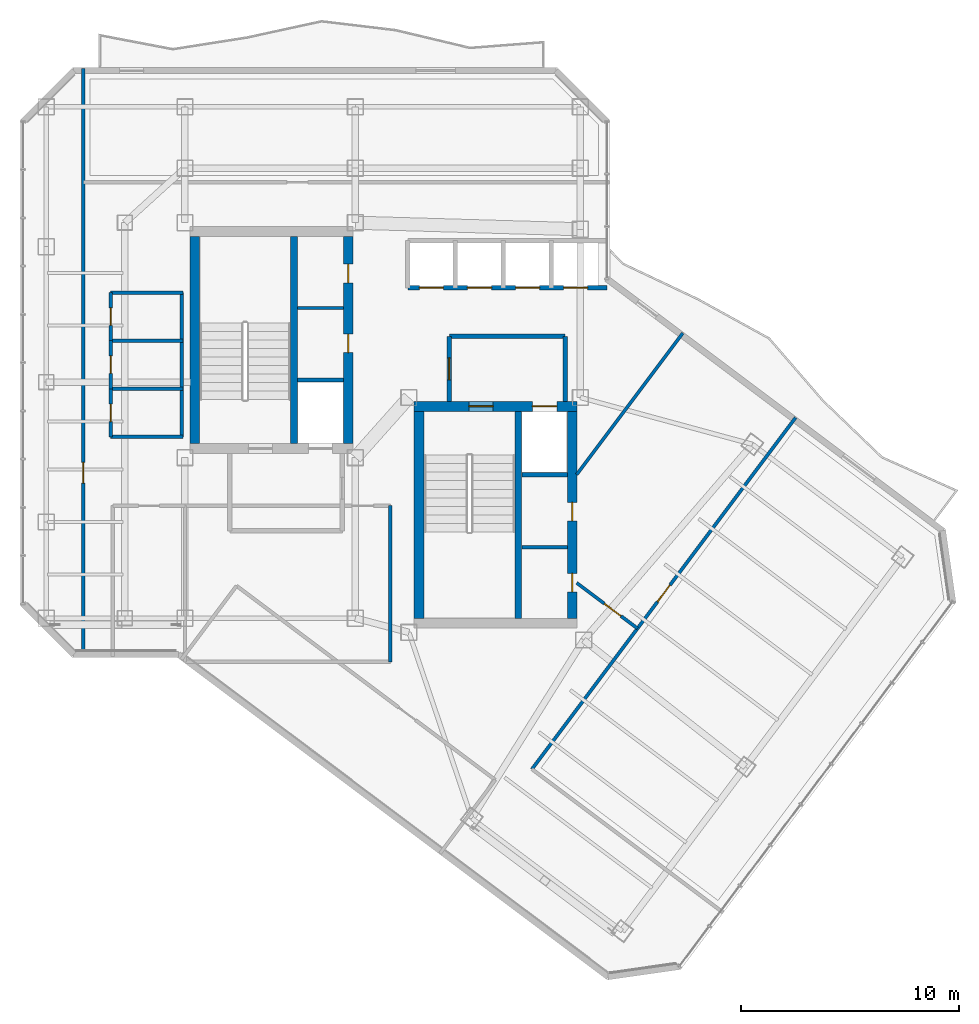
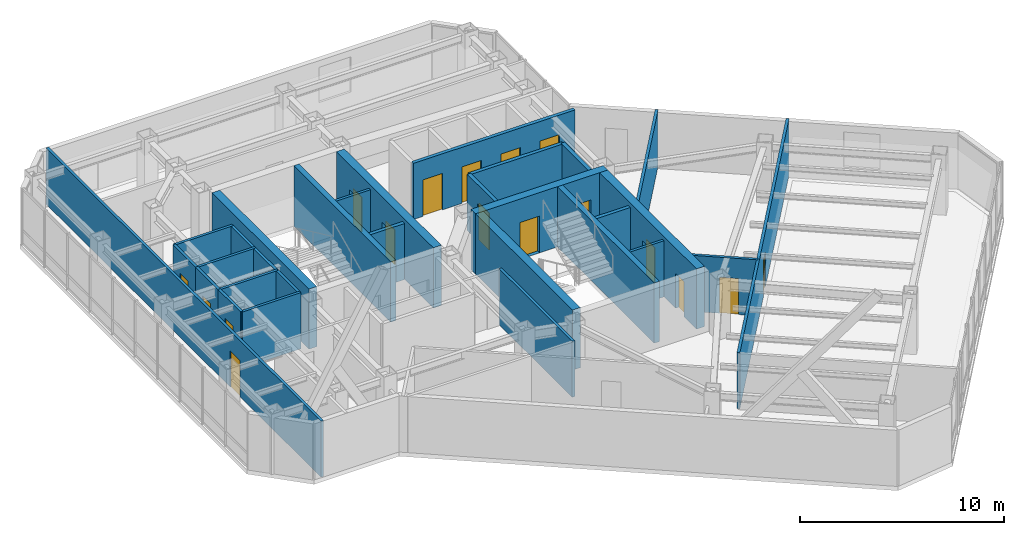
# One storey, part 20 of 24: 28 walls, 17 doors, 17 openings.
"""IFC4 building model written with IfcOpenShell, lengths in metres."""

from ifc_helpers import new_model, si_unit, direction, frame, frame_2d, origin, place, context, subcontext, project, spatial, rectangle, extrude, material, layer, layer_set, type_object, element, fill, save


model = new_model("IFC4")

# Units and contexts
model_context = context("Model", 3, precision=1e-05, world=origin(), true_north=direction((0.0, 1.0)))
body_context = subcontext(model_context, "Body", "Model", "MODEL_VIEW")
ifc_project = project(units=[si_unit("LENGTHUNIT", "METRE"), si_unit("AREAUNIT", "SQUARE_METRE"), si_unit("VOLUMEUNIT", "CUBIC_METRE"), si_unit("PLANEANGLEUNIT", "RADIAN"), si_unit("MASSUNIT", "GRAM", prefix="KILO")], contexts=[model_context])

# Site, building, storey
site_placement = place(None, origin())
site = spatial("IfcSite", under=ifc_project, at=site_placement, CompositionType="ELEMENT")
building_placement = place(site_placement, origin())
building = spatial("IfcBuilding", under=site, at=building_placement, Name="Hatsunagi Terrace Concourse", CompositionType="ELEMENT")
storey_placement = place(building_placement, frame((0.0, 0.0, 191.550048828125)))
storey = spatial("IfcBuildingStorey", under=building, at=storey_placement, Name="L50", CompositionType="ELEMENT", Elevation=191.550048828125)

# Wall
ifc_material_1 = material(Name="Concrete Fc42", Category="concrete")
ifc_layer_1 = layer(ifc_material_1, 0.449951171875)
ifc_layer_set_1 = layer_set([ifc_layer_1], Name="CoreShearWall_Fc42_450")
wall_type_1 = type_object("IfcWallType", Name="CoreShearWall_Fc42_450", PredefinedType="SHEAR", material=ifc_layer_set_1)
wall_1_placement = place(storey_placement, frame((25.9951171875, 33.18994140625, 0.0), z_axis=(0.0, 0.0, 1.0), x_axis=(0.0, 1.0, 0.0)))
element("IfcWall", 1, at=wall_1_placement, inside=storey, type_object=wall_type_1, Name="Core A Shear Wall W L50", PredefinedType="SHEAR", context=body_context, shape_type="SweptSolid", body=[
    extrude(rectangle(XDim=9.47998046875, YDim=0.449951171875, at=frame_2d((4.739990234375, 0.0))), origin(), (0.0, 0.0, 1.0), 3.599853515625),
])

# Wall, openings, doors
wall_2_placement = place(storey_placement, frame((33.02490234375, 33.18994140625, 0.0), z_axis=(0.0, 0.0, 1.0), x_axis=(0.0, 1.0, 0.0)))
wall_2 = element("IfcWall", 2, at=wall_2_placement, inside=storey, type_object=wall_type_1, Name="Core A Shear Wall E L50", PredefinedType="SHEAR", context=body_context, shape_type="SweptSolid", body=[
    extrude(rectangle(XDim=9.47998046875, YDim=0.449951171875, at=frame_2d((4.739990234375, 0.0))), origin(), (0.0, 0.0, 1.0), 3.599853515625),
])
opening_1_placement = place(wall_2_placement, frame((4.159912109375, 0.0, 0.0)))
opening_1 = element("IfcOpeningElement", 3, at=opening_1_placement, cuts=wall_2, Name="Opening DR-085", PredefinedType="OPENING", context=body_context, shape_type="SweptSolid", body=[
    extrude(rectangle(XDim=0.85009765625, YDim=2.080078125, at=frame_2d((0.425048828125, 1.0400390625))), frame((0.0, 0.23486328125, 0.0), z_axis=(0.0, -1.0, 0.0), x_axis=(1.0, 0.0, 0.0)), (0.0, 0.0, 1.0), 0.469970703125),
])
opening_2_placement = place(wall_2_placement, frame((7.360107421875, 0.0, 0.0)))
opening_2 = element("IfcOpeningElement", 4, at=opening_2_placement, cuts=wall_2, Name="Opening DR-085", PredefinedType="OPENING", context=body_context, shape_type="SweptSolid", body=[
    extrude(rectangle(XDim=0.85009765625, YDim=2.080078125, at=frame_2d((0.425048828125, 1.0400390625))), frame((0.0, 0.23486328125, 0.0), z_axis=(0.0, -1.0, 0.0), x_axis=(1.0, 0.0, 0.0)), (0.0, 0.0, 1.0), 0.469970703125),
])
ifc_material_2 = material(Name="Painted steel", Category="steel")
door_type_1 = type_object("IfcDoorType", Name="RiserAccessDoor_EI60_850", OperationType="NOTDEFINED", PredefinedType="DOOR", material=ifc_material_2)
door_1_placement = place(opening_1_placement, origin())
door_1 = element("IfcDoor", 5, at=door_1_placement, inside=storey, type_object=door_type_1, Name="Core A Riser Door L50-1", OperationType="SINGLE_SWING_LEFT", OverallHeight=2.080078125, OverallWidth=0.85009765625, PredefinedType="DOOR", context=body_context, shape_type="SweptSolid", body=[
    extrude(rectangle(XDim=0.85009765625, YDim=2.080078125, at=frame_2d((0.425048828125, 1.0400390625))), frame((0.0, 0.02490234375, 0.0), z_axis=(0.0, -1.0, 0.0), x_axis=(1.0, 0.0, 0.0)), (0.0, 0.0, 1.0), 0.050048828125),
])
fill(opening_1, door_1)
door_2_placement = place(opening_2_placement, origin())
door_2 = element("IfcDoor", 6, at=door_2_placement, inside=storey, type_object=door_type_1, Name="Core A Riser Door L50-2", OperationType="SINGLE_SWING_LEFT", OverallHeight=2.080078125, OverallWidth=0.85009765625, PredefinedType="DOOR", context=body_context, shape_type="SweptSolid", body=[
    extrude(rectangle(XDim=0.85009765625, YDim=2.080078125, at=frame_2d((0.425048828125, 1.0400390625))), frame((0.0, 0.02490234375, 0.0), z_axis=(0.0, -1.0, 0.0), x_axis=(1.0, 0.0, 0.0)), (0.0, 0.0, 1.0), 0.050048828125),
])
fill(opening_2, door_2)

wall_3_placement = place(storey_placement, frame((36.0400390625, 34.89501953125, 0.0), z_axis=(0.0, 0.0, 1.0), x_axis=(1.0, 0.0, 0.0)))
wall_3 = element("IfcWall", 7, at=wall_3_placement, inside=storey, type_object=wall_type_1, Name="Core B Shear Wall N L50", PredefinedType="SHEAR", context=body_context, shape_type="SweptSolid", body=[
    extrude(rectangle(XDim=7.4599609375, YDim=0.449951171875, at=frame_2d((3.72998046875, 0.0))), origin(), (0.0, 0.0, 1.0), 3.599853515625),
])
opening_3_placement = place(wall_3_placement, frame((2.510009765625, 0.0, 0.0)))
opening_3 = element("IfcOpeningElement", 8, at=opening_3_placement, cuts=wall_3, Name="Opening DR-110S", PredefinedType="OPENING", context=body_context, shape_type="SweptSolid", body=[
    extrude(rectangle(XDim=1.10009765625, YDim=2.199951171875, at=frame_2d((0.550048828125, 1.10009765625))), frame((0.0, 0.23486328125, 0.0), z_axis=(0.0, -1.0, 0.0), x_axis=(1.0, 0.0, 0.0)), (0.0, 0.0, 1.0), 0.469970703125),
])
opening_4_placement = place(wall_3_placement, frame((5.409912109375, 0.0, 0.0)))
opening_4 = element("IfcOpeningElement", 9, at=opening_4_placement, cuts=wall_3, Name="Opening LD-02", PredefinedType="OPENING", context=body_context, shape_type="SweptSolid", body=[
    extrude(rectangle(XDim=1.1201171875, YDim=2.14990234375, at=frame_2d((0.56005859375, 1.074951171875))), frame((0.0, 0.23486328125, 0.0), z_axis=(0.0, -1.0, 0.0), x_axis=(1.0, 0.0, 0.0)), (0.0, 0.0, 1.0), 0.469970703125),
])
ifc_material_3 = material(Name="Stainless steel", Category="steel")
door_type_2 = type_object("IfcDoorType", Name="LiftLandingDoor_LD02", OperationType="SLIDING_TO_RIGHT", PredefinedType="USERDEFINED", material=ifc_material_3)
door_3_placement = place(opening_4_placement, origin())
door_3 = element("IfcDoor", 10, at=door_3_placement, inside=storey, type_object=door_type_2, Name="Lift landing door FF-02 L50", ObjectType="SLIDING_LANDING_DOOR", OperationType="SLIDING_TO_RIGHT", OverallHeight=2.14990234375, OverallWidth=1.1201171875, PredefinedType="USERDEFINED", context=body_context, shape_type="SweptSolid", body=[
    extrude(rectangle(XDim=1.1201171875, YDim=2.14990234375, at=frame_2d((0.56005859375, 1.074951171875))), frame((0.0, 0.02490234375, 0.0), z_axis=(0.0, -1.0, 0.0), x_axis=(1.0, 0.0, 0.0)), (0.0, 0.0, 1.0), 0.050048828125),
])
fill(opening_4, door_3)
ifc_material_4 = material(Name="Painted steel", Category="steel")
door_type_3 = type_object("IfcDoorType", Name="StairFireDoor_EI60_1100", OperationType="NOTDEFINED", PredefinedType="DOOR", material=ifc_material_4)
door_4_placement = place(opening_3_placement, origin())
door_4 = element("IfcDoor", 11, at=door_4_placement, inside=storey, type_object=door_type_3, Name="Stair ST-B Exit Door L50", OperationType="SINGLE_SWING_RIGHT", OverallHeight=2.199951171875, OverallWidth=1.10009765625, PredefinedType="DOOR", context=body_context, shape_type="SweptSolid", body=[
    extrude(rectangle(XDim=1.10009765625, YDim=2.199951171875, at=frame_2d((0.550048828125, 1.10009765625))), frame((0.0, 0.02490234375, 0.0), z_axis=(0.0, -1.0, 0.0), x_axis=(1.0, 0.0, 0.0)), (0.0, 0.0, 1.0), 0.050048828125),
])
fill(opening_3, door_4)

# Wall
wall_4_placement = place(storey_placement, frame((36.264892578125, 25.18994140625, 0.0), z_axis=(0.0, 0.0, 1.0), x_axis=(0.0, 1.0, 0.0)))
element("IfcWall", 12, at=wall_4_placement, inside=storey, type_object=wall_type_1, Name="Core B Shear Wall W L50", PredefinedType="SHEAR", context=body_context, shape_type="SweptSolid", body=[
    extrude(rectangle(XDim=9.47998046875, YDim=0.449951171875, at=frame_2d((4.739990234375, 0.0))), origin(), (0.0, 0.0, 1.0), 3.599853515625),
])

# Wall, openings, doors
wall_5_placement = place(storey_placement, frame((43.27490234375, 25.18994140625, 0.0), z_axis=(0.0, 0.0, 1.0), x_axis=(0.0, 1.0, 0.0)))
wall_5 = element("IfcWall", 13, at=wall_5_placement, inside=storey, type_object=wall_type_1, Name="Core B Shear Wall E L50", PredefinedType="SHEAR", context=body_context, shape_type="SweptSolid", body=[
    extrude(rectangle(XDim=9.47998046875, YDim=0.449951171875, at=frame_2d((4.739990234375, 0.0))), origin(), (0.0, 0.0, 1.0), 3.599853515625),
])
opening_5_placement = place(wall_5_placement, frame((1.2099609375, 0.0, 0.0)))
opening_5 = element("IfcOpeningElement", 14, at=opening_5_placement, cuts=wall_5, Name="Opening DR-085", PredefinedType="OPENING", context=body_context, shape_type="SweptSolid", body=[
    extrude(rectangle(XDim=0.85009765625, YDim=2.080078125, at=frame_2d((0.425048828125, 1.0400390625))), frame((0.0, 0.23486328125, 0.0), z_axis=(0.0, -1.0, 0.0), x_axis=(1.0, 0.0, 0.0)), (0.0, 0.0, 1.0), 0.469970703125),
])
opening_6_placement = place(wall_5_placement, frame((4.4599609375, 0.0, 0.0)))
opening_6 = element("IfcOpeningElement", 15, at=opening_6_placement, cuts=wall_5, Name="Opening DR-085", PredefinedType="OPENING", context=body_context, shape_type="SweptSolid", body=[
    extrude(rectangle(XDim=0.85009765625, YDim=2.080078125, at=frame_2d((0.425048828125, 1.0400390625))), frame((0.0, 0.23486328125, 0.0), z_axis=(0.0, -1.0, 0.0), x_axis=(1.0, 0.0, 0.0)), (0.0, 0.0, 1.0), 0.469970703125),
])
door_5_placement = place(opening_5_placement, origin())
door_5 = element("IfcDoor", 16, at=door_5_placement, inside=storey, type_object=door_type_1, Name="Core B Riser Door L50-1", OperationType="SINGLE_SWING_RIGHT", OverallHeight=2.080078125, OverallWidth=0.85009765625, PredefinedType="DOOR", context=body_context, shape_type="SweptSolid", body=[
    extrude(rectangle(XDim=0.85009765625, YDim=2.080078125, at=frame_2d((0.425048828125, 1.0400390625))), frame((0.0, 0.02490234375, 0.0), z_axis=(0.0, -1.0, 0.0), x_axis=(1.0, 0.0, 0.0)), (0.0, 0.0, 1.0), 0.050048828125),
])
fill(opening_5, door_5)
door_6_placement = place(opening_6_placement, origin())
door_6 = element("IfcDoor", 17, at=door_6_placement, inside=storey, type_object=door_type_1, Name="Core B Riser Door L50-2", OperationType="SINGLE_SWING_RIGHT", OverallHeight=2.080078125, OverallWidth=0.85009765625, PredefinedType="DOOR", context=body_context, shape_type="SweptSolid", body=[
    extrude(rectangle(XDim=0.85009765625, YDim=2.080078125, at=frame_2d((0.425048828125, 1.0400390625))), frame((0.0, 0.02490234375, 0.0), z_axis=(0.0, -1.0, 0.0), x_axis=(1.0, 0.0, 0.0)), (0.0, 0.0, 1.0), 0.050048828125),
])
fill(opening_6, door_6)

# Walls
ifc_material_5 = material(Name="Concrete Fc48", Category="concrete")
ifc_layer_2 = layer(ifc_material_5, 0.300048828125)
ifc_layer_set_2 = layer_set([ifc_layer_2], Name="CoreStairDivider_Fc48_300")
wall_type_2 = type_object("IfcWallType", Name="CoreStairDivider_Fc48_300", PredefinedType="SHEAR", material=ifc_layer_set_2)
for number, where, z_axis, x_axis, name in (
    (18, (30.5400390625, 33.18994140625, 0.0), (0.0, 0.0, 1.0), (0.0, 1.0, 0.0), "Core A Shear Wall D L50"),
    (19, (40.81005859375, 25.18994140625, 0.0), (0.0, 0.0, 1.0), (0.0, 1.0, 0.0), "Core B Shear Wall D L50"),
):
    element("IfcWall", number, at=place(storey_placement, frame(where, z_axis=z_axis, x_axis=x_axis)), inside=storey, type_object=wall_type_2, Name=name, PredefinedType="SHEAR", context=body_context, shape_type="SweptSolid", body=[
        extrude(rectangle(XDim=9.47998046875, YDim=0.300048828125, at=frame_2d((4.739990234375, 0.0))), origin(), (0.0, 0.0, 1.0), 3.599853515625),
    ])
ifc_material_6 = material(Name="Acoustic mineral board", Category="gypsum")
ifc_layer_3 = layer(ifc_material_6, 0.14990234375)
ifc_layer_set_3 = layer_set([ifc_layer_3], Name="PartitionWall_EI60_150")
wall_type_3 = type_object("IfcWallType", Name="PartitionWall_EI60_150", PredefinedType="PARTITIONING", material=ifc_layer_set_3)
wall_6_placement = place(storey_placement, frame((30.699951171875, 39.39990234375, 0.0), z_axis=(0.0, 0.0, 1.0), x_axis=(1.0, 0.0, 0.0)))
element("IfcWall", 20, at=wall_6_placement, inside=storey, type_object=wall_type_3, Name="Interior Partition IW-L50-002", PredefinedType="PARTITIONING", context=body_context, shape_type="SweptSolid", body=[
    extrude(rectangle(XDim=2.10009765625, YDim=0.14990234375, at=frame_2d((1.050048828125, 0.0))), origin(), (0.0, 0.0, 1.0), 3.349853515625),
])
wall_7_placement = place(storey_placement, frame((40.969970703125, 28.449951171875, 0.0), z_axis=(0.0, 0.0, 1.0), x_axis=(1.0, 0.0, 0.0)))
element("IfcWall", 21, at=wall_7_placement, inside=storey, type_object=wall_type_3, Name="Interior Partition IW-L50-004", PredefinedType="PARTITIONING", context=body_context, shape_type="SweptSolid", body=[
    extrude(rectangle(XDim=2.080078125, YDim=0.14990234375, at=frame_2d((1.0400390625, 0.0))), origin(), (0.0, 0.0, 1.0), 3.349853515625),
])
for number, where, z_axis, x_axis, name in (
    (22, (22.14990234375, 33.5, 0.0), (0.0, 0.0, 1.0), (1.0, 0.0, 0.0), "Interior Partition IW-L50-017"),
    (23, (22.14990234375, 40.10009765625, 0.0), (0.0, 0.0, 1.0), (1.0, 0.0, 0.0), "Interior Partition IW-L50-018"),
):
    element("IfcWall", number, at=place(storey_placement, frame(where, z_axis=z_axis, x_axis=x_axis)), inside=storey, type_object=wall_type_3, Name=name, PredefinedType="PARTITIONING", context=body_context, shape_type="SweptSolid", body=[
        extrude(rectangle(XDim=3.300048828125, YDim=0.14990234375, at=frame_2d((1.64990234375, 0.0))), origin(), (0.0, 0.0, 1.0), 3.349853515625),
    ])
wall_8_placement = place(storey_placement, frame((25.39990234375, 33.5, 0.0), z_axis=(0.0, 0.0, 1.0), x_axis=(0.0, 1.0, 0.0)))
element("IfcWall", 24, at=wall_8_placement, inside=storey, type_object=wall_type_3, Name="Interior Partition IW-L50-019", PredefinedType="PARTITIONING", context=body_context, shape_type="SweptSolid", body=[
    extrude(rectangle(XDim=6.60009765625, YDim=0.14990234375, at=frame_2d((3.300048828125, 0.0))), origin(), (0.0, 0.0, 1.0), 3.349853515625),
])
for number, where, z_axis, x_axis, name in (
    (25, (22.14990234375, 35.699951171875, 0.0), (0.0, 0.0, 1.0), (1.0, 0.0, 0.0), "Interior Partition IW-L50-020"),
    (26, (22.14990234375, 37.89990234375, 0.0), (0.0, 0.0, 1.0), (1.0, 0.0, 0.0), "Interior Partition IW-L50-021"),
):
    element("IfcWall", number, at=place(storey_placement, frame(where, z_axis=z_axis, x_axis=x_axis)), inside=storey, type_object=wall_type_3, Name=name, PredefinedType="PARTITIONING", context=body_context, shape_type="SweptSolid", body=[
        extrude(rectangle(XDim=3.300048828125, YDim=0.14990234375, at=frame_2d((1.64990234375, 0.0))), origin(), (0.0, 0.0, 1.0), 3.349853515625),
    ])

# Wall, opening, door
wall_9_placement = place(storey_placement, frame((22.14990234375, 33.5, 0.0), z_axis=(0.0, 0.0, 1.0), x_axis=(0.0, 1.0, 0.0)))
wall_9 = element("IfcWall", 27, at=wall_9_placement, inside=storey, type_object=wall_type_3, Name="Interior Partition IW-L50-022", PredefinedType="PARTITIONING", context=body_context, shape_type="SweptSolid", body=[
    extrude(rectangle(XDim=2.199951171875, YDim=0.14990234375, at=frame_2d((1.10009765625, 0.0))), origin(), (0.0, 0.0, 1.0), 3.349853515625),
])
opening_7_placement = place(wall_9_placement, frame((0.699951171875, 0.0, 0.0)))
opening_7 = element("IfcOpeningElement", 28, at=opening_7_placement, cuts=wall_9, Name="Opening DR-080", PredefinedType="OPENING", context=body_context, shape_type="SweptSolid", body=[
    extrude(rectangle(XDim=0.800048828125, YDim=2.06005859375, at=frame_2d((0.39990234375, 1.030029296875))), frame((0.0, 0.0849609375, 0.0), z_axis=(0.0, -1.0, 0.0), x_axis=(1.0, 0.0, 0.0)), (0.0, 0.0, 1.0), 0.169921875),
])
ifc_material_7 = material(Name="Hardwood timber", Category="wood")
door_type_4 = type_object("IfcDoorType", Name="BathroomDoor_800", OperationType="NOTDEFINED", PredefinedType="DOOR", material=ifc_material_7)
door_7_placement = place(opening_7_placement, origin())
door_7 = element("IfcDoor", 29, at=door_7_placement, inside=storey, type_object=door_type_4, Name="Accessible WC Door L50", OperationType="SINGLE_SWING_RIGHT", OverallHeight=2.06005859375, OverallWidth=0.800048828125, PredefinedType="DOOR", context=body_context, shape_type="SweptSolid", body=[
    extrude(rectangle(XDim=0.800048828125, YDim=2.06005859375, at=frame_2d((0.39990234375, 1.030029296875))), frame((0.0, 0.02490234375, 0.0), z_axis=(0.0, -1.0, 0.0), x_axis=(1.0, 0.0, 0.0)), (0.0, 0.0, 1.0), 0.050048828125),
])
fill(opening_7, door_7)

wall_10_placement = place(storey_placement, frame((22.14990234375, 35.699951171875, 0.0), z_axis=(0.0, 0.0, 1.0), x_axis=(0.0, 1.0, 0.0)))
wall_10 = element("IfcWall", 30, at=wall_10_placement, inside=storey, type_object=wall_type_3, Name="Interior Partition IW-L50-023", PredefinedType="PARTITIONING", context=body_context, shape_type="SweptSolid", body=[
    extrude(rectangle(XDim=2.199951171875, YDim=0.14990234375, at=frame_2d((1.10009765625, 0.0))), origin(), (0.0, 0.0, 1.0), 3.349853515625),
])
opening_8_placement = place(wall_10_placement, frame((0.699951171875, 0.0, 0.0)))
opening_8 = element("IfcOpeningElement", 31, at=opening_8_placement, cuts=wall_10, Name="Opening DR-080", PredefinedType="OPENING", context=body_context, shape_type="SweptSolid", body=[
    extrude(rectangle(XDim=0.800048828125, YDim=2.06005859375, at=frame_2d((0.39990234375, 1.030029296875))), frame((0.0, 0.0849609375, 0.0), z_axis=(0.0, -1.0, 0.0), x_axis=(1.0, 0.0, 0.0)), (0.0, 0.0, 1.0), 0.169921875),
])
door_8_placement = place(opening_8_placement, origin())
door_8 = element("IfcDoor", 32, at=door_8_placement, inside=storey, type_object=door_type_4, Name="Female Restroom Door L50", OperationType="SINGLE_SWING_RIGHT", OverallHeight=2.06005859375, OverallWidth=0.800048828125, PredefinedType="DOOR", context=body_context, shape_type="SweptSolid", body=[
    extrude(rectangle(XDim=0.800048828125, YDim=2.06005859375, at=frame_2d((0.39990234375, 1.030029296875))), frame((0.0, 0.02490234375, 0.0), z_axis=(0.0, -1.0, 0.0), x_axis=(1.0, 0.0, 0.0)), (0.0, 0.0, 1.0), 0.050048828125),
])
fill(opening_8, door_8)

wall_11_placement = place(storey_placement, frame((22.14990234375, 37.89990234375, 0.0), z_axis=(0.0, 0.0, 1.0), x_axis=(0.0, 1.0, 0.0)))
wall_11 = element("IfcWall", 33, at=wall_11_placement, inside=storey, type_object=wall_type_3, Name="Interior Partition IW-L50-024", PredefinedType="PARTITIONING", context=body_context, shape_type="SweptSolid", body=[
    extrude(rectangle(XDim=2.2001953125, YDim=0.14990234375, at=frame_2d((1.10009765625, 0.0))), origin(), (0.0, 0.0, 1.0), 3.349853515625),
])
opening_9_placement = place(wall_11_placement, frame((0.699951171875, 0.0, 0.0)))
opening_9 = element("IfcOpeningElement", 34, at=opening_9_placement, cuts=wall_11, Name="Opening DR-080", PredefinedType="OPENING", context=body_context, shape_type="SweptSolid", body=[
    extrude(rectangle(XDim=0.800048828125, YDim=2.06005859375, at=frame_2d((0.39990234375, 1.030029296875))), frame((0.0, 0.0849609375, 0.0), z_axis=(0.0, -1.0, 0.0), x_axis=(1.0, 0.0, 0.0)), (0.0, 0.0, 1.0), 0.169921875),
])
door_9_placement = place(opening_9_placement, origin())
door_9 = element("IfcDoor", 35, at=door_9_placement, inside=storey, type_object=door_type_4, Name="Male Restroom Door L50", OperationType="SINGLE_SWING_RIGHT", OverallHeight=2.06005859375, OverallWidth=0.800048828125, PredefinedType="DOOR", context=body_context, shape_type="SweptSolid", body=[
    extrude(rectangle(XDim=0.800048828125, YDim=2.06005859375, at=frame_2d((0.39990234375, 1.030029296875))), frame((0.0, 0.02490234375, 0.0), z_axis=(0.0, -1.0, 0.0), x_axis=(1.0, 0.0, 0.0)), (0.0, 0.0, 1.0), 0.050048828125),
])
fill(opening_9, door_9)

# Wall
wall_12_placement = place(storey_placement, frame((34.949951171875, 23.199951171875, 0.0), z_axis=(0.0, 0.0, 1.0), x_axis=(0.0, 1.0, 0.0)))
element("IfcWall", 36, at=wall_12_placement, inside=storey, type_object=wall_type_3, Name="Interior Partition IW-L50-028", PredefinedType="PARTITIONING", context=body_context, shape_type="SweptSolid", body=[
    extrude(rectangle(XDim=7.150146484375, YDim=0.14990234375, at=frame_2d((3.5751953125, 0.0))), origin(), (0.0, 0.0, 1.0), 3.349853515625),
])

# Wall, opening, door
wall_13_placement = place(storey_placement, frame((20.89990234375, 23.43994140625, 0.0), z_axis=(0.0, 0.0, 1.0), x_axis=(0.0, 1.0, 0.0)))
wall_13 = element("IfcWall", 37, at=wall_13_placement, inside=storey, type_object=wall_type_3, Name="Interior Partition IW-L50-029", PredefinedType="PARTITIONING", context=body_context, shape_type="SweptSolid", body=[
    extrude(rectangle(XDim=26.920166015625, YDim=0.14990234375, at=frame_2d((13.4599609375, 0.0))), origin(), (0.0, 0.0, 1.0), 3.349853515625),
])
opening_10_placement = place(wall_13_placement, frame((7.943115234375, 0.0, 0.0)))
opening_10 = element("IfcOpeningElement", 38, at=opening_10_placement, cuts=wall_13, Name="Opening DR-095", PredefinedType="OPENING", context=body_context, shape_type="SweptSolid", body=[
    extrude(rectangle(XDim=0.949951171875, YDim=2.14990234375, at=frame_2d((0.47509765625, 1.074951171875))), frame((0.0, 0.0849609375, 0.0), z_axis=(0.0, -1.0, 0.0), x_axis=(1.0, 0.0, 0.0)), (0.0, 0.0, 1.0), 0.169921875),
])
ifc_material_8 = material(Name="Hardwood timber", Category="wood")
door_type_5 = type_object("IfcDoorType", Name="InteriorSuiteDoor_EI30_950", OperationType="NOTDEFINED", PredefinedType="DOOR", material=ifc_material_8)
door_10_placement = place(opening_10_placement, origin())
door_10 = element("IfcDoor", 39, at=door_10_placement, inside=storey, type_object=door_type_5, Name="Open Plan Office L50-OW1 Door", OperationType="SINGLE_SWING_RIGHT", OverallHeight=2.14990234375, OverallWidth=0.949951171875, PredefinedType="DOOR", context=body_context, shape_type="SweptSolid", body=[
    extrude(rectangle(XDim=0.949951171875, YDim=2.14990234375, at=frame_2d((0.47509765625, 1.074951171875))), frame((0.0, 0.02490234375, 0.0), z_axis=(0.0, -1.0, 0.0), x_axis=(1.0, 0.0, 0.0)), (0.0, 0.0, 1.0), 0.050048828125),
])
fill(opening_10, door_10)

wall_14_placement = place(storey_placement, frame((41.429931640625, 18.2900390625, 0.0), z_axis=(0.0, 0.0, 1.0), x_axis=(0.600007769734, 0.79999417264, 0.0)))
wall_14 = element("IfcWall", 40, at=wall_14_placement, inside=storey, type_object=wall_type_3, Name="Interior Partition IW-L50-032", PredefinedType="PARTITIONING", context=body_context, shape_type="SweptSolid", body=[
    extrude(rectangle(XDim=20.110107421875, YDim=0.14990234375, at=frame_2d((10.05517578125, 0.0))), origin(), (0.0, 0.0, 1.0), 3.349853515625),
])
opening_11_placement = place(wall_14_placement, frame((9.580078125, 0.0, 0.0)))
opening_11 = element("IfcOpeningElement", 41, at=opening_11_placement, cuts=wall_14, Name="Opening DR-095", PredefinedType="OPENING", context=body_context, shape_type="SweptSolid", body=[
    extrude(rectangle(XDim=0.949951171875, YDim=2.14990234375, at=frame_2d((0.47509765625, 1.074951171875))), frame((0.0, 0.0849609375, 0.0), z_axis=(0.0, -1.0, 0.0), x_axis=(1.0, 0.0, 0.0)), (0.0, 0.0, 1.0), 0.169921875),
])
door_11_placement = place(opening_11_placement, origin())
door_11 = element("IfcDoor", 42, at=door_11_placement, inside=storey, type_object=door_type_5, Name="Design Studio L50-OSE1 Door", OperationType="SINGLE_SWING_RIGHT", OverallHeight=2.14990234375, OverallWidth=0.949951171875, PredefinedType="DOOR", context=body_context, shape_type="SweptSolid", body=[
    extrude(rectangle(XDim=0.949951171875, YDim=2.14990234375, at=frame_2d((0.47509765625, 1.074951171875))), frame((0.0, 0.02490234375, 0.0), z_axis=(0.0, -1.0, 0.0), x_axis=(1.0, 0.0, 0.0)), (0.0, 0.0, 1.0), 0.050048828125),
])
fill(opening_11, door_11)

wall_15_placement = place(storey_placement, frame((43.47998046875, 26.81494140625, 0.0), z_axis=(0.0, 0.0, 1.0), x_axis=(0.800008430676, -0.599988758934, 0.0)))
wall_15 = element("IfcWall", 43, at=wall_15_placement, inside=storey, type_object=wall_type_3, Name="Interior Partition IW-L50-033", PredefinedType="PARTITIONING", context=body_context, shape_type="SweptSolid", body=[
    extrude(rectangle(XDim=3.47509765625, YDim=0.14990234375, at=frame_2d((1.737548828125, 0.0))), origin(), (0.0, 0.0, 1.0), 3.349853515625),
])
opening_12_placement = place(wall_15_placement, frame((1.580078125, 0.0, 0.0)))
opening_12 = element("IfcOpeningElement", 44, at=opening_12_placement, cuts=wall_15, Name="Opening DR-095", PredefinedType="OPENING", context=body_context, shape_type="SweptSolid", body=[
    extrude(rectangle(XDim=0.949951171875, YDim=2.14990234375, at=frame_2d((0.47509765625, 1.074951171875))), frame((0.0, 0.0849609375, 0.0), z_axis=(0.0, -1.0, 0.0), x_axis=(1.0, 0.0, 0.0)), (0.0, 0.0, 1.0), 0.169921875),
])
door_12_placement = place(opening_12_placement, origin())
door_12 = element("IfcDoor", 45, at=door_12_placement, inside=storey, type_object=door_type_5, Name="Collaboration Lounge L50-OSEN1 Door", OperationType="SINGLE_SWING_LEFT", OverallHeight=2.14990234375, OverallWidth=0.949951171875, PredefinedType="DOOR", context=body_context, shape_type="SweptSolid", body=[
    extrude(rectangle(XDim=0.949951171875, YDim=2.14990234375, at=frame_2d((0.47509765625, 1.074951171875))), frame((0.0, 0.02490234375, 0.0), z_axis=(0.0, -1.0, 0.0), x_axis=(1.0, 0.0, 0.0)), (0.0, 0.0, 1.0), 0.050048828125),
])
fill(opening_12, door_12)

# Walls
wall_16_placement = place(storey_placement, frame((43.47998046875, 31.77294921875, 0.0), z_axis=(0.0, 0.0, 1.0), x_axis=(0.599971041729, 0.800021717885, 0.0)))
element("IfcWall", 46, at=wall_16_placement, inside=storey, type_object=wall_type_3, Name="Interior Partition IW-L50-034", PredefinedType="PARTITIONING", context=body_context, shape_type="SweptSolid", body=[
    extrude(rectangle(XDim=8.09375, YDim=0.14990234375, at=frame_2d((4.046875, 0.0))), origin(), (0.0, 0.0, 1.0), 3.349853515625),
])
ifc_material_9 = material(Name="Acoustic mineral board", Category="gypsum")
ifc_layer_4 = layer(ifc_material_9, 0.199951171875)
ifc_layer_set_4 = layer_set([ifc_layer_4], Name="ShaftWall_EI120_200")
wall_type_4 = type_object("IfcWallType", Name="ShaftWall_EI120_200", PredefinedType="STANDARD", material=ifc_layer_set_4)
wall_17_placement = place(storey_placement, frame((30.699951171875, 36.10009765625, 0.0), z_axis=(0.0, 0.0, 1.0), x_axis=(1.0, 0.0, 0.0)))
element("IfcWall", 47, at=wall_17_placement, inside=storey, type_object=wall_type_4, Name="Interior Partition IW-L50-001", PredefinedType="STANDARD", context=body_context, shape_type="SweptSolid", body=[
    extrude(rectangle(XDim=2.10009765625, YDim=0.199951171875, at=frame_2d((1.050048828125, 0.0))), origin(), (0.0, 0.0, 1.0), 3.349853515625),
])
wall_18_placement = place(storey_placement, frame((40.969970703125, 31.760009765625, 0.0), z_axis=(0.0, 0.0, 1.0), x_axis=(1.0, 0.0, 0.0)))
element("IfcWall", 48, at=wall_18_placement, inside=storey, type_object=wall_type_4, Name="Interior Partition IW-L50-003", PredefinedType="STANDARD", context=body_context, shape_type="SweptSolid", body=[
    extrude(rectangle(XDim=2.080078125, YDim=0.199951171875, at=frame_2d((1.0400390625, 0.0))), origin(), (0.0, 0.0, 1.0), 3.349853515625),
])
wall_19_placement = place(storey_placement, frame((37.64990234375, 38.10009765625, 0.0), z_axis=(0.0, 0.0, 1.0), x_axis=(1.0, 0.0, 0.0)))
element("IfcWall", 49, at=wall_19_placement, inside=storey, type_object=wall_type_4, Name="Interior Partition IW-L50-008", PredefinedType="STANDARD", context=body_context, shape_type="SweptSolid", body=[
    extrude(rectangle(XDim=5.300048828125, YDim=0.199951171875, at=frame_2d((2.64990234375, 0.0))), origin(), (0.0, 0.0, 1.0), 3.349853515625),
])
wall_20_placement = place(storey_placement, frame((42.949951171875, 35.1201171875, 0.0), z_axis=(0.0, 0.0, 1.0), x_axis=(0.0, 1.0, 0.0)))
element("IfcWall", 50, at=wall_20_placement, inside=storey, type_object=wall_type_4, Name="Interior Partition IW-L50-009", PredefinedType="STANDARD", context=body_context, shape_type="SweptSolid", body=[
    extrude(rectangle(XDim=2.97998046875, YDim=0.199951171875, at=frame_2d((1.489990234375, 0.0))), origin(), (0.0, 0.0, 1.0), 3.349853515625),
])

# Wall, opening, door
wall_21_placement = place(storey_placement, frame((37.64990234375, 35.1201171875, 0.0), z_axis=(0.0, 0.0, 1.0), x_axis=(0.0, 1.0, 0.0)))
wall_21 = element("IfcWall", 51, at=wall_21_placement, inside=storey, type_object=wall_type_4, Name="Interior Partition IW-L50-010", PredefinedType="STANDARD", context=body_context, shape_type="SweptSolid", body=[
    extrude(rectangle(XDim=2.97998046875, YDim=0.199951171875, at=frame_2d((1.489990234375, 0.0))), origin(), (0.0, 0.0, 1.0), 3.349853515625),
])
opening_13_placement = place(wall_21_placement, frame((0.989990234375, 0.0, 0.0)))
opening_13 = element("IfcOpeningElement", 52, at=opening_13_placement, cuts=wall_21, Name="Opening DR-100F", PredefinedType="OPENING", context=body_context, shape_type="SweptSolid", body=[
    extrude(rectangle(XDim=1.0, YDim=2.199951171875, at=frame_2d((0.5, 1.10009765625))), frame((0.0, 0.10986328125, 0.0), z_axis=(0.0, -1.0, 0.0), x_axis=(1.0, 0.0, 0.0)), (0.0, 0.0, 1.0), 0.219970703125),
])
ifc_material_10 = material(Name="Painted steel", Category="steel")
door_type_6 = type_object("IfcDoorType", Name="FireDoor_EI60_1000", OperationType="NOTDEFINED", PredefinedType="DOOR", material=ifc_material_10)
door_13_placement = place(opening_13_placement, origin())
door_13 = element("IfcDoor", 53, at=door_13_placement, inside=storey, type_object=door_type_6, Name="Firefighting Lobby B Door L50", OperationType="SINGLE_SWING_RIGHT", OverallHeight=2.199951171875, OverallWidth=1.0, PredefinedType="DOOR", context=body_context, shape_type="SweptSolid", body=[
    extrude(rectangle(XDim=1.0, YDim=2.199951171875, at=frame_2d((0.5, 1.10009765625))), frame((0.0, 0.02490234375, 0.0), z_axis=(0.0, -1.0, 0.0), x_axis=(1.0, 0.0, 0.0)), (0.0, 0.0, 1.0), 0.050048828125),
])
fill(opening_13, door_13)

# Wall, openings, doors
wall_22_placement = place(storey_placement, frame((35.75, 40.320068359375, 0.0), z_axis=(0.0, 0.0, 1.0), x_axis=(1.0, 0.0, 0.0)))
wall_22 = element("IfcWall", 54, at=wall_22_placement, inside=storey, type_object=wall_type_4, Name="Interior Partition IW-L50-016", PredefinedType="STANDARD", context=body_context, shape_type="SweptSolid", body=[
    extrude(rectangle(XDim=9.110107421875, YDim=0.199951171875, at=frame_2d((4.55517578125, 0.0))), origin(), (0.0, 0.0, 1.0), 3.349853515625),
])
opening_14_placement = place(wall_22_placement, frame((0.530029296875, 0.0, 0.0)))
opening_14 = element("IfcOpeningElement", 55, at=opening_14_placement, cuts=wall_22, Name="Opening LD-04", PredefinedType="OPENING", context=body_context, shape_type="SweptSolid", body=[
    extrude(rectangle(XDim=1.10009765625, YDim=2.179931640625, at=frame_2d((0.550048828125, 1.08984375))), frame((0.0, 0.10986328125, 0.0), z_axis=(0.0, -1.0, 0.0), x_axis=(1.0, 0.0, 0.0)), (0.0, 0.0, 1.0), 0.219970703125),
])
opening_15_placement = place(wall_22_placement, frame((2.72998046875, 0.0, 0.0)))
opening_15 = element("IfcOpeningElement", 56, at=opening_15_placement, cuts=wall_22, Name="Opening LD-04", PredefinedType="OPENING", context=body_context, shape_type="SweptSolid", body=[
    extrude(rectangle(XDim=1.10009765625, YDim=2.179931640625, at=frame_2d((0.550048828125, 1.08984375))), frame((0.0, 0.10986328125, 0.0), z_axis=(0.0, -1.0, 0.0), x_axis=(1.0, 0.0, 0.0)), (0.0, 0.0, 1.0), 0.219970703125),
])
opening_16_placement = place(wall_22_placement, frame((4.929931640625, 0.0, 0.0)))
opening_16 = element("IfcOpeningElement", 57, at=opening_16_placement, cuts=wall_22, Name="Opening LD-04", PredefinedType="OPENING", context=body_context, shape_type="SweptSolid", body=[
    extrude(rectangle(XDim=1.10009765625, YDim=2.179931640625, at=frame_2d((0.550048828125, 1.08984375))), frame((0.0, 0.10986328125, 0.0), z_axis=(0.0, -1.0, 0.0), x_axis=(1.0, 0.0, 0.0)), (0.0, 0.0, 1.0), 0.219970703125),
])
opening_17_placement = place(wall_22_placement, frame((7.1298828125, 0.0, 0.0)))
opening_17 = element("IfcOpeningElement", 58, at=opening_17_placement, cuts=wall_22, Name="Opening LD-04", PredefinedType="OPENING", context=body_context, shape_type="SweptSolid", body=[
    extrude(rectangle(XDim=1.10009765625, YDim=2.179931640625, at=frame_2d((0.550048828125, 1.08984375))), frame((0.0, 0.10986328125, 0.0), z_axis=(0.0, -1.0, 0.0), x_axis=(1.0, 0.0, 0.0)), (0.0, 0.0, 1.0), 0.219970703125),
])
ifc_material_11 = material(Name="Stainless steel", Category="steel")
door_type_7 = type_object("IfcDoorType", Name="LiftLandingDoor_LD04", OperationType="SLIDING_TO_RIGHT", PredefinedType="USERDEFINED", material=ifc_material_11)
door_14_placement = place(opening_14_placement, origin())
door_14 = element("IfcDoor", 59, at=door_14_placement, inside=storey, type_object=door_type_7, Name="Lift landing door PL-05 L50", ObjectType="SLIDING_LANDING_DOOR", OperationType="SLIDING_TO_RIGHT", OverallHeight=2.179931640625, OverallWidth=1.10009765625, PredefinedType="USERDEFINED", context=body_context, shape_type="SweptSolid", body=[
    extrude(rectangle(XDim=1.10009765625, YDim=2.179931640625, at=frame_2d((0.550048828125, 1.08984375))), frame((0.0, 0.02490234375, 0.0), z_axis=(0.0, -1.0, 0.0), x_axis=(1.0, 0.0, 0.0)), (0.0, 0.0, 1.0), 0.050048828125),
])
fill(opening_14, door_14)
door_15_placement = place(opening_15_placement, origin())
door_15 = element("IfcDoor", 60, at=door_15_placement, inside=storey, type_object=door_type_7, Name="Lift landing door PL-06 L50", ObjectType="SLIDING_LANDING_DOOR", OperationType="SLIDING_TO_RIGHT", OverallHeight=2.179931640625, OverallWidth=1.10009765625, PredefinedType="USERDEFINED", context=body_context, shape_type="SweptSolid", body=[
    extrude(rectangle(XDim=1.10009765625, YDim=2.179931640625, at=frame_2d((0.550048828125, 1.08984375))), frame((0.0, 0.02490234375, 0.0), z_axis=(0.0, -1.0, 0.0), x_axis=(1.0, 0.0, 0.0)), (0.0, 0.0, 1.0), 0.050048828125),
])
fill(opening_15, door_15)
door_16_placement = place(opening_16_placement, origin())
door_16 = element("IfcDoor", 61, at=door_16_placement, inside=storey, type_object=door_type_7, Name="Lift landing door PL-07 L50", ObjectType="SLIDING_LANDING_DOOR", OperationType="SLIDING_TO_RIGHT", OverallHeight=2.179931640625, OverallWidth=1.10009765625, PredefinedType="USERDEFINED", context=body_context, shape_type="SweptSolid", body=[
    extrude(rectangle(XDim=1.10009765625, YDim=2.179931640625, at=frame_2d((0.550048828125, 1.08984375))), frame((0.0, 0.02490234375, 0.0), z_axis=(0.0, -1.0, 0.0), x_axis=(1.0, 0.0, 0.0)), (0.0, 0.0, 1.0), 0.050048828125),
])
fill(opening_16, door_16)
door_17_placement = place(opening_17_placement, origin())
door_17 = element("IfcDoor", 62, at=door_17_placement, inside=storey, type_object=door_type_7, Name="Lift landing door PL-08 L50", ObjectType="SLIDING_LANDING_DOOR", OperationType="SLIDING_TO_RIGHT", OverallHeight=2.179931640625, OverallWidth=1.10009765625, PredefinedType="USERDEFINED", context=body_context, shape_type="SweptSolid", body=[
    extrude(rectangle(XDim=1.10009765625, YDim=2.179931640625, at=frame_2d((0.550048828125, 1.08984375))), frame((0.0, 0.02490234375, 0.0), z_axis=(0.0, -1.0, 0.0), x_axis=(1.0, 0.0, 0.0)), (0.0, 0.0, 1.0), 0.050048828125),
])
fill(opening_17, door_17)

save(model, "model.ifc")
